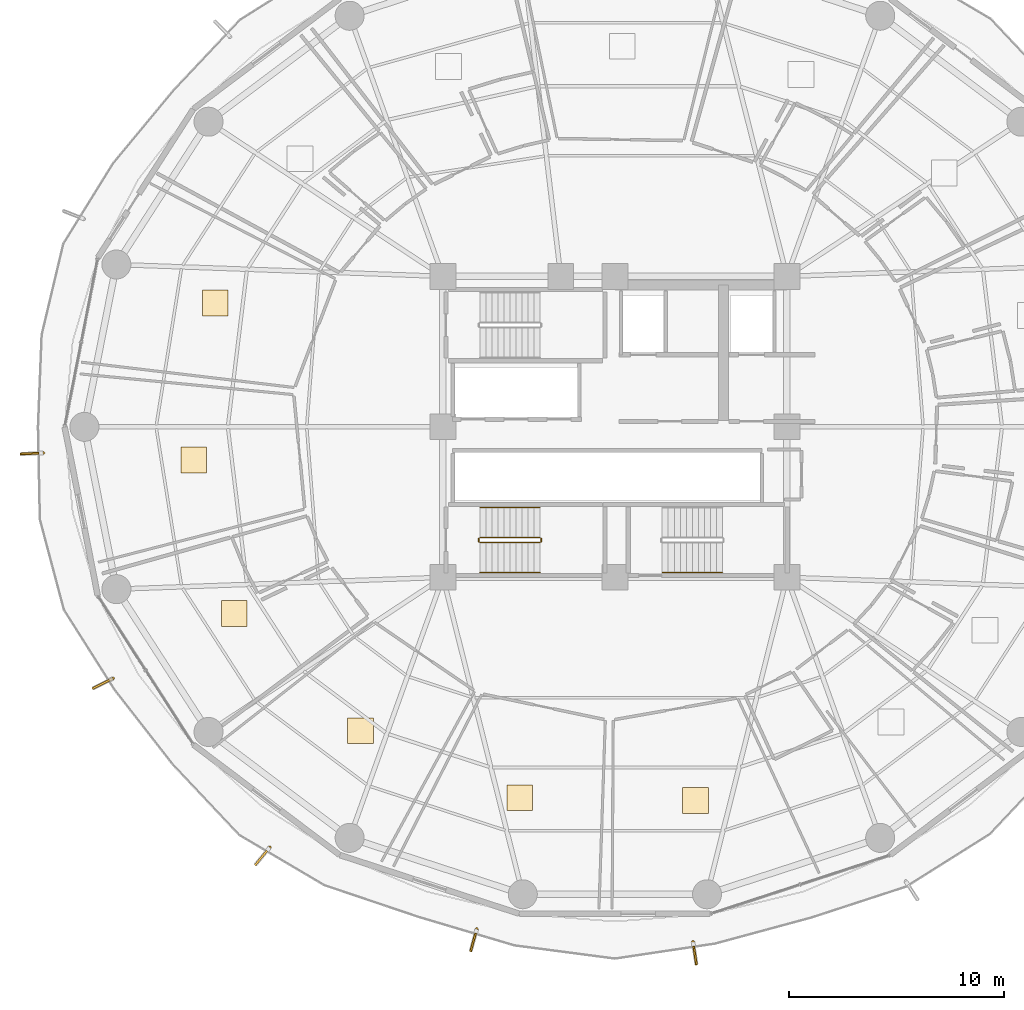
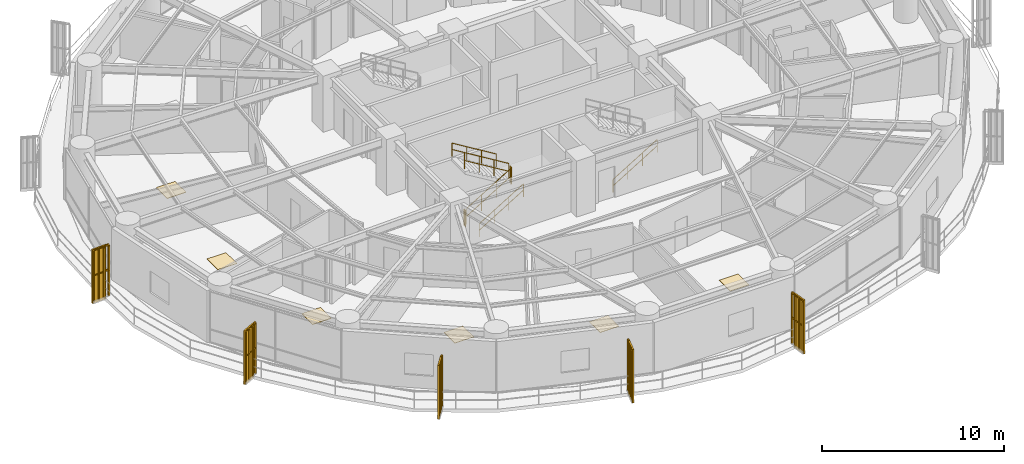
# One storey, part 35 of 38: 12 railings, 6 coverings, 5 shading devices.
"""IFC4 building model written with IfcOpenShell, lengths in metres."""

from ifc_helpers import new_model, si_unit, direction, frame, origin, origin_2d, place, context, subcontext, project, spatial, polyline, rectangle, outline, extrude, source, transform, mapped, material, layer, layer_set, type_object, element, save


model = new_model("IFC4")

# Units and contexts
model_context = context("Model", 3, precision=1e-05, world=origin(), true_north=direction((0.0, 1.0)))
body_context = subcontext(model_context, "Body", "Model", "MODEL_VIEW")
ifc_project = project(units=[si_unit("LENGTHUNIT", "METRE"), si_unit("AREAUNIT", "SQUARE_METRE"), si_unit("VOLUMEUNIT", "CUBIC_METRE"), si_unit("PLANEANGLEUNIT", "RADIAN"), si_unit("MASSUNIT", "GRAM", prefix="KILO")], contexts=[model_context])

# Site, building, storey
site_placement = place(None, origin())
site = spatial("IfcSite", under=ifc_project, at=site_placement, CompositionType="ELEMENT")
building_placement = place(site_placement, origin())
building = spatial("IfcBuilding", under=site, at=building_placement, Name="Kelanora Arch Commons", CompositionType="ELEMENT")
storey_placement = place(building_placement, frame((0.0, 0.0, 106.35009765625)))
storey = spatial("IfcBuildingStorey", under=building, at=storey_placement, Name="L27", CompositionType="ELEMENT", Elevation=106.35009765625)

# Railings
ifc_material_1 = material(Name="Anodised bronze vertical shading fin rib assembly")
railing_type_1 = type_object("IfcRailingType", Name="RAIL-FIN-BRZ", PredefinedType="BALUSTRADE", material=ifc_material_1)
railing_1_placement = place(storey_placement, frame((47.405517578125, 56.783203125, -0.02001953125)))
element("IfcRailing", 1, at=railing_1_placement, inside=storey, type_object=railing_type_1, Name="Sweeping Bronze Vertical Fin Blade L27-06", PredefinedType="BALUSTRADE", context=body_context, shape_type="SweptSolid", body=[
    extrude(outline(polyline([(0.06982421875, 0.0), (0.034912109375, 0.060546875), (-0.034912109375, 0.060546875), (-0.06982421875, 0.0), (-0.034912109375, -0.060546875), (0.034912109375, -0.060546875), (0.06982421875, 0.0)])), frame((0.0, 0.0, 3.419921875), z_axis=(-0.99894421443, -0.045939704578, 0.0), x_axis=(0.045939704578, -0.99894421443, 0.0)), (0.0, 0.0, 1.0), 0.9990234375),
    extrude(outline(polyline([(0.06982421875, 0.0), (0.034912109375, 0.060546875), (-0.034912109375, 0.060546875), (-0.06982421875, 0.0), (-0.034912109375, -0.060546875), (0.034912109375, -0.060546875), (0.06982421875, 0.0)])), frame((0.0, 0.0, 1.7451171875), z_axis=(-0.99894421443, -0.045939704578, 0.0), x_axis=(0.045939704578, -0.99894421443, 0.0)), (0.0, 0.0, 1.0), 0.9990234375),
    extrude(outline(polyline([(0.080078125, 0.0), (0.0400390625, 0.0693359375), (-0.0400390625, 0.0693359375), (-0.080078125, 0.0), (-0.0400390625, -0.0693359375), (0.0400390625, -0.0693359375), (0.080078125, 0.0)])), origin(), (0.0, 0.0, 1.0), 3.35009765625),
    extrude(outline(polyline([(0.080078125, 0.0), (0.0400390625, 0.0693359375), (-0.0400390625, 0.0693359375), (-0.080078125, 0.0), (-0.0400390625, -0.0693359375), (0.0400390625, -0.0693359375), (0.080078125, 0.0)])), frame((-0.332763671875, -0.015380859375, 0.0)), (0.0, 0.0, 1.0), 3.35009765625),
    extrude(outline(polyline([(0.080078125, 0.0), (0.0400390625, 0.0693359375), (-0.0400390625, 0.0693359375), (-0.080078125, 0.0), (-0.0400390625, -0.0693359375), (0.0400390625, -0.0693359375), (0.080078125, 0.0)])), frame((-0.665283203125, -0.030517578125, 0.0)), (0.0, 0.0, 1.0), 3.35009765625),
    extrude(outline(polyline([(0.080078125, 0.0), (0.0400390625, 0.0693359375), (-0.0400390625, 0.0693359375), (-0.080078125, 0.0), (-0.0400390625, -0.0693359375), (0.0400390625, -0.0693359375), (0.080078125, 0.0)])), frame((-0.998046875, -0.0458984375, 0.0)), (0.0, 0.0, 1.0), 3.35009765625),
])
railing_2_placement = place(storey_placement, frame((50.6494140625, 46.296875, -0.02001953125)))
element("IfcRailing", 2, at=railing_2_placement, inside=storey, type_object=railing_type_1, Name="Sweeping Bronze Vertical Fin Blade L27-07", PredefinedType="BALUSTRADE", context=body_context, shape_type="SweptSolid", body=[
    extrude(outline(polyline([(0.06982421875, 0.0), (0.034912109375, 0.060546875), (-0.034912109375, 0.060546875), (-0.06982421875, 0.0), (-0.034912109375, -0.060546875), (0.034912109375, -0.060546875), (0.06982421875, 0.0)])), frame((0.0, 0.0, 3.419921875), z_axis=(-0.893937899103, -0.448190843891, 0.0), x_axis=(0.448190843891, -0.893937899103, 0.0)), (0.0, 0.0, 1.0), 0.9990234375),
    extrude(outline(polyline([(0.06982421875, 0.0), (0.034912109375, 0.060546875), (-0.034912109375, 0.060546875), (-0.06982421875, 0.0), (-0.034912109375, -0.060546875), (0.034912109375, -0.060546875), (0.06982421875, 0.0)])), frame((0.0, 0.0, 1.7451171875), z_axis=(-0.893937899103, -0.448190843891, 0.0), x_axis=(0.448190843891, -0.893937899103, 0.0)), (0.0, 0.0, 1.0), 0.9990234375),
    extrude(outline(polyline([(0.080078125, 0.0), (0.0400390625, 0.0693359375), (-0.0400390625, 0.0693359375), (-0.080078125, 0.0), (-0.0400390625, -0.0693359375), (0.0400390625, -0.0693359375), (0.080078125, 0.0)])), origin(), (0.0, 0.0, 1.0), 3.35009765625),
    extrude(outline(polyline([(0.080078125, 0.0), (0.0400390625, 0.0693359375), (-0.0400390625, 0.0693359375), (-0.080078125, 0.0), (-0.0400390625, -0.0693359375), (0.0400390625, -0.0693359375), (0.080078125, 0.0)])), frame((-0.297607421875, -0.149169921875, 0.0)), (0.0, 0.0, 1.0), 3.35009765625),
    extrude(outline(polyline([(0.080078125, 0.0), (0.0400390625, 0.0693359375), (-0.0400390625, 0.0693359375), (-0.080078125, 0.0), (-0.0400390625, -0.0693359375), (0.0400390625, -0.0693359375), (0.080078125, 0.0)])), frame((-0.595458984375, -0.298583984375, 0.0)), (0.0, 0.0, 1.0), 3.35009765625),
    extrude(outline(polyline([(0.080078125, 0.0), (0.0400390625, 0.0693359375), (-0.0400390625, 0.0693359375), (-0.080078125, 0.0), (-0.0400390625, -0.0693359375), (0.0400390625, -0.0693359375), (0.080078125, 0.0)])), frame((-0.89306640625, -0.44775390625, 0.0)), (0.0, 0.0, 1.0), 3.35009765625),
])
railing_3_placement = place(storey_placement, frame((57.94091796875, 38.435302734375, -0.02001953125)))
element("IfcRailing", 3, at=railing_3_placement, inside=storey, type_object=railing_type_1, Name="Sweeping Bronze Vertical Fin Blade L27-08", PredefinedType="BALUSTRADE", context=body_context, shape_type="SweptSolid", body=[
    extrude(outline(polyline([(0.06982421875, 0.0), (0.034912109375, 0.060546875), (-0.034912109375, 0.060546875), (-0.06982421875, 0.0), (-0.034912109375, -0.060546875), (0.034912109375, -0.060546875), (0.06982421875, 0.0)])), frame((0.0, 0.0, 3.419921875), z_axis=(-0.634567453325, -0.772867483584, 0.0), x_axis=(0.772867483584, -0.634567453325, 0.0)), (0.0, 0.0, 1.0), 0.999267578125),
    extrude(outline(polyline([(0.06982421875, 0.0), (0.034912109375, 0.060546875), (-0.034912109375, 0.060546875), (-0.06982421875, 0.0), (-0.034912109375, -0.060546875), (0.034912109375, -0.060546875), (0.06982421875, 0.0)])), frame((0.0, 0.0, 1.7451171875), z_axis=(-0.634567453325, -0.772867483584, 0.0), x_axis=(0.772867483584, -0.634567453325, 0.0)), (0.0, 0.0, 1.0), 0.999267578125),
    extrude(outline(polyline([(0.080078125, 0.0), (0.0400390625, 0.0693359375), (-0.0400390625, 0.0693359375), (-0.080078125, 0.0), (-0.0400390625, -0.0693359375), (0.0400390625, -0.0693359375), (0.080078125, 0.0)])), origin(), (0.0, 0.0, 1.0), 3.35009765625),
    extrude(outline(polyline([(0.080078125, 0.0), (0.0400390625, 0.0693359375), (-0.0400390625, 0.0693359375), (-0.080078125, 0.0), (-0.0400390625, -0.0693359375), (0.0400390625, -0.0693359375), (0.080078125, 0.0)])), frame((-0.21142578125, -0.25732421875, 0.0)), (0.0, 0.0, 1.0), 3.35009765625),
    extrude(outline(polyline([(0.080078125, 0.0), (0.0400390625, 0.0693359375), (-0.0400390625, 0.0693359375), (-0.080078125, 0.0), (-0.0400390625, -0.0693359375), (0.0400390625, -0.0693359375), (0.080078125, 0.0)])), frame((-0.422607421875, -0.514892578125, 0.0)), (0.0, 0.0, 1.0), 3.35009765625),
    extrude(outline(polyline([(0.080078125, 0.0), (0.0400390625, 0.0693359375), (-0.0400390625, 0.0693359375), (-0.080078125, 0.0), (-0.0400390625, -0.0693359375), (0.0400390625, -0.0693359375), (0.080078125, 0.0)])), frame((-0.634033203125, -0.772216796875, 0.0)), (0.0, 0.0, 1.0), 3.35009765625),
])
railing_4_placement = place(storey_placement, frame((67.572265625, 34.63232421875, -0.02001953125)))
element("IfcRailing", 4, at=railing_4_placement, inside=storey, type_object=railing_type_1, Name="Sweeping Bronze Vertical Fin Blade L27-09", PredefinedType="BALUSTRADE", context=body_context, shape_type="SweptSolid", body=[
    extrude(outline(polyline([(0.06982421875, 0.0), (0.034912109375, 0.060546875), (-0.034912109375, 0.060546875), (-0.06982421875, 0.0), (-0.034912109375, -0.060546875), (0.034912109375, -0.060546875), (0.06982421875, 0.0)])), frame((0.0, 0.0, 3.419921875), z_axis=(-0.265122406976, -0.964214763068, 0.0), x_axis=(0.964214763068, -0.265122406976, 0.0)), (0.0, 0.0, 1.0), 0.9990234375),
    extrude(outline(polyline([(0.06982421875, 0.0), (0.034912109375, 0.060546875), (-0.034912109375, 0.060546875), (-0.06982421875, 0.0), (-0.034912109375, -0.060546875), (0.034912109375, -0.060546875), (0.06982421875, 0.0)])), frame((0.0, 0.0, 1.7451171875), z_axis=(-0.265122406976, -0.964214763068, 0.0), x_axis=(0.964214763068, -0.265122406976, 0.0)), (0.0, 0.0, 1.0), 0.9990234375),
    extrude(outline(polyline([(0.080078125, 0.0), (0.0400390625, 0.0693359375), (-0.0400390625, 0.0693359375), (-0.080078125, 0.0), (-0.0400390625, -0.0693359375), (0.0400390625, -0.0693359375), (0.080078125, 0.0)])), origin(), (0.0, 0.0, 1.0), 3.35009765625),
    extrude(outline(polyline([(0.080078125, 0.0), (0.0400390625, 0.0693359375), (-0.0400390625, 0.0693359375), (-0.080078125, 0.0), (-0.0400390625, -0.0693359375), (0.0400390625, -0.0693359375), (0.080078125, 0.0)])), frame((-0.08837890625, -0.321044921875, 0.0)), (0.0, 0.0, 1.0), 3.35009765625),
    extrude(outline(polyline([(0.080078125, 0.0), (0.0400390625, 0.0693359375), (-0.0400390625, 0.0693359375), (-0.080078125, 0.0), (-0.0400390625, -0.0693359375), (0.0400390625, -0.0693359375), (0.080078125, 0.0)])), frame((-0.176513671875, -0.642333984375, 0.0)), (0.0, 0.0, 1.0), 3.35009765625),
    extrude(outline(polyline([(0.080078125, 0.0), (0.0400390625, 0.0693359375), (-0.0400390625, 0.0693359375), (-0.080078125, 0.0), (-0.0400390625, -0.0693359375), (0.0400390625, -0.0693359375), (0.080078125, 0.0)])), frame((-0.264892578125, -0.96337890625, 0.0)), (0.0, 0.0, 1.0), 3.35009765625),
])
railing_5_placement = place(storey_placement, frame((77.6328125, 34.034912109375, -0.02001953125)))
element("IfcRailing", 5, at=railing_5_placement, inside=storey, type_object=railing_type_1, Name="Sweeping Bronze Vertical Fin Blade L27-10", PredefinedType="BALUSTRADE", context=body_context, shape_type="SweptSolid", body=[
    extrude(outline(polyline([(0.06982421875, 0.0), (0.034912109375, 0.060546875), (-0.034912109375, 0.060546875), (-0.06982421875, 0.0), (-0.034912109375, -0.060546875), (0.034912109375, -0.060546875), (0.06982421875, 0.0)])), frame((0.0, 0.0, 3.419921875), z_axis=(0.150037012761, -0.988680380508, 0.0), x_axis=(0.988680380508, 0.150037012761, 0.0)), (0.0, 0.0, 1.0), 0.9990234375),
    extrude(outline(polyline([(0.06982421875, 0.0), (0.034912109375, 0.060546875), (-0.034912109375, 0.060546875), (-0.06982421875, 0.0), (-0.034912109375, -0.060546875), (0.034912109375, -0.060546875), (0.06982421875, 0.0)])), frame((0.0, 0.0, 1.7451171875), z_axis=(0.150037012761, -0.988680380508, 0.0), x_axis=(0.988680380508, 0.150037012761, 0.0)), (0.0, 0.0, 1.0), 0.9990234375),
    extrude(outline(polyline([(0.080078125, 0.0), (0.0400390625, 0.0693359375), (-0.0400390625, 0.0693359375), (-0.080078125, 0.0), (-0.0400390625, -0.0693359375), (0.0400390625, -0.0693359375), (0.080078125, 0.0)])), origin(), (0.0, 0.0, 1.0), 3.35009765625),
    extrude(outline(polyline([(0.080078125, 0.0), (0.0400390625, 0.0693359375), (-0.0400390625, 0.0693359375), (-0.080078125, 0.0), (-0.0400390625, -0.0693359375), (0.0400390625, -0.0693359375), (0.080078125, 0.0)])), frame((0.050048828125, -0.329345703125, 0.0)), (0.0, 0.0, 1.0), 3.35009765625),
    extrude(outline(polyline([(0.080078125, 0.0), (0.0400390625, 0.0693359375), (-0.0400390625, 0.0693359375), (-0.080078125, 0.0), (-0.0400390625, -0.0693359375), (0.0400390625, -0.0693359375), (0.080078125, 0.0)])), frame((0.099853515625, -0.658447265625, 0.0)), (0.0, 0.0, 1.0), 3.35009765625),
    extrude(outline(polyline([(0.080078125, 0.0), (0.0400390625, 0.0693359375), (-0.0400390625, 0.0693359375), (-0.080078125, 0.0), (-0.0400390625, -0.0693359375), (0.0400390625, -0.0693359375), (0.080078125, 0.0)])), frame((0.14990234375, -0.98779296875, 0.0)), (0.0, 0.0, 1.0), 3.35009765625),
])
ifc_material_2 = material(Name="Painted steel stair well guard", Category="steel")
railing_type_2 = type_object("IfcRailingType", Name="RAIL-STAIR-GRD", PredefinedType="GUARDRAIL", material=ifc_material_2)
railing_6_placement = place(storey_placement, frame((67.719970703125, 52.610107421875, 0.17041015625)))
element("IfcRailing", 6, at=railing_6_placement, inside=storey, type_object=railing_type_2, Name="L27 ST-T3 stair guard 1", PredefinedType="GUARDRAIL", context=body_context, shape_type="SweptSolid", body=[
    extrude(outline(polyline([(0.02392578125, 0.0), (0.011962890625, 0.020751953125), (-0.011962890625, 0.020751953125), (-0.02392578125, 0.0), (-0.011962890625, -0.020751953125), (0.011962890625, -0.020751953125), (0.02392578125, 0.0)])), frame((0.0, 0.0, 1.076171875), z_axis=(0.854169791009, 0.0, 0.51999420009), x_axis=(0.0, 1.0, 0.0)), (0.0, 0.0, 1.0), 3.278076171875),
    extrude(outline(polyline([(0.02392578125, 0.0), (0.011962890625, 0.020751953125), (-0.011962890625, 0.020751953125), (-0.02392578125, 0.0), (-0.011962890625, -0.020751953125), (0.011962890625, -0.020751953125), (0.02392578125, 0.0)])), frame((0.0, 0.0, 0.550048828125), z_axis=(0.854169791009, 0.0, 0.51999420009), x_axis=(0.0, 1.0, 0.0)), (0.0, 0.0, 1.0), 3.278076171875),
    extrude(outline(polyline([(0.02099609375, 0.0), (0.010498046875, 0.01806640625), (-0.010498046875, 0.01806640625), (-0.02099609375, 0.0), (-0.010498046875, -0.01806640625), (0.010498046875, -0.01806640625), (0.02099609375, 0.0)])), origin(), (0.0, 0.0, 1.0), 1.052001953125),
    extrude(outline(polyline([(0.02099609375, 0.0), (0.010498046875, 0.01806640625), (-0.010498046875, 0.01806640625), (-0.02099609375, 0.0), (-0.010498046875, -0.01806640625), (0.010498046875, -0.01806640625), (0.02099609375, 0.0)])), frame((0.933349609375, 0.0, 0.568115234375)), (0.0, 0.0, 1.0), 1.052001953125),
    extrude(outline(polyline([(0.02099609375, 0.0), (0.010498046875, 0.01806640625), (-0.010498046875, 0.01806640625), (-0.02099609375, 0.0), (-0.010498046875, -0.01806640625), (0.010498046875, -0.01806640625), (0.02099609375, 0.0)])), frame((1.86669921875, 0.0, 1.136474609375)), (0.0, 0.0, 1.0), 1.052001953125),
    extrude(outline(polyline([(0.02099609375, 0.0), (0.010498046875, 0.01806640625), (-0.010498046875, 0.01806640625), (-0.02099609375, 0.0), (-0.010498046875, -0.01806640625), (0.010498046875, -0.01806640625), (0.02099609375, 0.0)])), frame((2.800048828125, 0.0, 1.70458984375)), (0.0, 0.0, 1.0), 1.052001953125),
])
railing_7_placement = place(storey_placement, frame((70.570068359375, 52.659912109375, 1.875)))
element("IfcRailing", 7, at=railing_7_placement, inside=storey, type_object=railing_type_2, Name="L27 ST-T3 stair guard 2", PredefinedType="GUARDRAIL", context=body_context, shape_type="SweptSolid", body=[
    extrude(outline(polyline([(0.02392578125, 0.0), (0.011962890625, 0.020751953125), (-0.011962890625, 0.020751953125), (-0.02392578125, 0.0), (-0.011962890625, -0.020751953125), (0.011962890625, -0.020751953125), (0.02392578125, 0.0)])), frame((0.0, 0.0, 1.076171875), z_axis=(0.0, 1.0, 0.0), x_axis=(-1.0, 0.0, 0.0)), (0.0, 0.0, 1.0), 0.150146484375),
    extrude(outline(polyline([(0.02392578125, 0.0), (0.011962890625, 0.020751953125), (-0.011962890625, 0.020751953125), (-0.02392578125, 0.0), (-0.011962890625, -0.020751953125), (0.011962890625, -0.020751953125), (0.02392578125, 0.0)])), frame((0.0, 0.0, 0.550048828125), z_axis=(0.0, 1.0, 0.0), x_axis=(-1.0, 0.0, 0.0)), (0.0, 0.0, 1.0), 0.150146484375),
    extrude(outline(polyline([(0.02099609375, 0.0), (0.010498046875, 0.01806640625), (-0.010498046875, 0.01806640625), (-0.02099609375, 0.0), (-0.010498046875, -0.01806640625), (0.010498046875, -0.01806640625), (0.02099609375, 0.0)])), origin(), (0.0, 0.0, 1.0), 1.052001953125),
    extrude(outline(polyline([(0.02099609375, 0.0), (0.010498046875, 0.01806640625), (-0.010498046875, 0.01806640625), (-0.02099609375, 0.0), (-0.010498046875, -0.01806640625), (0.010498046875, -0.01806640625), (0.02099609375, 0.0)])), frame((0.0, 0.150146484375, 0.0)), (0.0, 0.0, 1.0), 1.052001953125),
])
railing_8_placement = place(storey_placement, frame((70.52001953125, 52.860107421875, 2.04541015625)))
element("IfcRailing", 8, at=railing_8_placement, inside=storey, type_object=railing_type_2, Name="L27 ST-T3 stair guard 3", PredefinedType="GUARDRAIL", context=body_context, shape_type="SweptSolid", body=[
    extrude(outline(polyline([(0.02392578125, 0.0), (0.011962890625, 0.020751953125), (-0.011962890625, 0.020751953125), (-0.02392578125, 0.0), (-0.011962890625, -0.020751953125), (0.011962890625, -0.020751953125), (0.02392578125, 0.0)])), frame((0.0, 0.0, 1.076171875), z_axis=(-0.854169791009, 0.0, 0.51999420009), x_axis=(0.0, -1.0, 0.0)), (0.0, 0.0, 1.0), 3.278076171875),
    extrude(outline(polyline([(0.02392578125, 0.0), (0.011962890625, 0.020751953125), (-0.011962890625, 0.020751953125), (-0.02392578125, 0.0), (-0.011962890625, -0.020751953125), (0.011962890625, -0.020751953125), (0.02392578125, 0.0)])), frame((0.0, 0.0, 0.550048828125), z_axis=(-0.854169791009, 0.0, 0.51999420009), x_axis=(0.0, -1.0, 0.0)), (0.0, 0.0, 1.0), 3.278076171875),
    extrude(outline(polyline([(0.02099609375, 0.0), (0.010498046875, 0.01806640625), (-0.010498046875, 0.01806640625), (-0.02099609375, 0.0), (-0.010498046875, -0.01806640625), (0.010498046875, -0.01806640625), (0.02099609375, 0.0)])), origin(), (0.0, 0.0, 1.0), 1.052001953125),
    extrude(outline(polyline([(0.02099609375, 0.0), (0.010498046875, 0.01806640625), (-0.010498046875, 0.01806640625), (-0.02099609375, 0.0), (-0.010498046875, -0.01806640625), (0.010498046875, -0.01806640625), (0.02099609375, 0.0)])), frame((-0.933349609375, 0.0, 0.568115234375)), (0.0, 0.0, 1.0), 1.052001953125),
    extrude(outline(polyline([(0.02099609375, 0.0), (0.010498046875, 0.01806640625), (-0.010498046875, 0.01806640625), (-0.02099609375, 0.0), (-0.010498046875, -0.01806640625), (0.010498046875, -0.01806640625), (0.02099609375, 0.0)])), frame((-1.86669921875, 0.0, 1.136474609375)), (0.0, 0.0, 1.0), 1.052001953125),
    extrude(outline(polyline([(0.02099609375, 0.0), (0.010498046875, 0.01806640625), (-0.010498046875, 0.01806640625), (-0.02099609375, 0.0), (-0.010498046875, -0.01806640625), (0.010498046875, -0.01806640625), (0.02099609375, 0.0)])), frame((-2.800048828125, 0.0, 1.70458984375)), (0.0, 0.0, 1.0), 1.052001953125),
])
railing_9_placement = place(storey_placement, frame((67.669921875, 52.659912109375, 0.0)))
element("IfcRailing", 9, at=railing_9_placement, inside=storey, type_object=railing_type_2, Name="L27 ST-T3 stair guard 4", PredefinedType="GUARDRAIL", context=body_context, shape_type="SweptSolid", body=[
    extrude(outline(polyline([(0.02392578125, 0.0), (0.011962890625, 0.020751953125), (-0.011962890625, 0.020751953125), (-0.02392578125, 0.0), (-0.011962890625, -0.020751953125), (0.011962890625, -0.020751953125), (0.02392578125, 0.0)])), frame((0.0, 0.0, 1.076171875), z_axis=(0.0, 1.0, 0.0), x_axis=(-1.0, 0.0, 0.0)), (0.0, 0.0, 1.0), 0.150146484375),
    extrude(outline(polyline([(0.02392578125, 0.0), (0.011962890625, 0.020751953125), (-0.011962890625, 0.020751953125), (-0.02392578125, 0.0), (-0.011962890625, -0.020751953125), (0.011962890625, -0.020751953125), (0.02392578125, 0.0)])), frame((0.0, 0.0, 0.550048828125), z_axis=(0.0, 1.0, 0.0), x_axis=(-1.0, 0.0, 0.0)), (0.0, 0.0, 1.0), 0.150146484375),
    extrude(outline(polyline([(0.02099609375, 0.0), (0.010498046875, 0.01806640625), (-0.010498046875, 0.01806640625), (-0.02099609375, 0.0), (-0.010498046875, -0.01806640625), (0.010498046875, -0.01806640625), (0.02099609375, 0.0)])), origin(), (0.0, 0.0, 1.0), 1.052001953125),
    extrude(outline(polyline([(0.02099609375, 0.0), (0.010498046875, 0.01806640625), (-0.010498046875, 0.01806640625), (-0.02099609375, 0.0), (-0.010498046875, -0.01806640625), (0.010498046875, -0.01806640625), (0.02099609375, 0.0)])), frame((0.0, 0.150146484375, 0.0)), (0.0, 0.0, 1.0), 1.052001953125),
])
ifc_material_3 = material(Name="Brushed stainless steel stair handrail", Category="steel")
railing_type_3 = type_object("IfcRailingType", Name="RAIL-STAIR-HND", PredefinedType="HANDRAIL", material=ifc_material_3)
railing_10_placement = place(storey_placement, frame((76.199951171875, 51.22998046875, 0.17041015625)))
element("IfcRailing", 10, at=railing_10_placement, inside=storey, type_object=railing_type_3, Name="L27 ST-T2 stair handrail 1", PredefinedType="HANDRAIL", context=body_context, shape_type="SweptSolid", body=[
    extrude(outline(polyline([(0.02392578125, 0.0), (0.011962890625, 0.020751953125), (-0.011962890625, 0.020751953125), (-0.02392578125, 0.0), (-0.011962890625, -0.020751953125), (0.011962890625, -0.020751953125), (0.02392578125, 0.0)])), frame((0.0, 0.0, 0.8759765625), z_axis=(0.854169791009, 0.0, 0.51999420009), x_axis=(0.0, 1.0, 0.0)), (0.0, 0.0, 1.0), 3.278076171875),
    extrude(outline(polyline([(0.02392578125, 0.0), (0.011962890625, 0.020751953125), (-0.011962890625, 0.020751953125), (-0.02392578125, 0.0), (-0.011962890625, -0.020751953125), (0.011962890625, -0.020751953125), (0.02392578125, 0.0)])), frame((0.0, 0.0, 0.449951171875), z_axis=(0.854169791009, 0.0, 0.51999420009), x_axis=(0.0, 1.0, 0.0)), (0.0, 0.0, 1.0), 3.278076171875),
    extrude(outline(polyline([(0.02099609375, 0.0), (0.010498046875, 0.01806640625), (-0.010498046875, 0.01806640625), (-0.02099609375, 0.0), (-0.010498046875, -0.01806640625), (0.010498046875, -0.01806640625), (0.02099609375, 0.0)])), origin(), (0.0, 0.0, 1.0), 0.851806640625),
    extrude(outline(polyline([(0.02099609375, 0.0), (0.010498046875, 0.01806640625), (-0.010498046875, 0.01806640625), (-0.02099609375, 0.0), (-0.010498046875, -0.01806640625), (0.010498046875, -0.01806640625), (0.02099609375, 0.0)])), frame((0.933349609375, 0.0, 0.568115234375)), (0.0, 0.0, 1.0), 0.851806640625),
    extrude(outline(polyline([(0.02099609375, 0.0), (0.010498046875, 0.01806640625), (-0.010498046875, 0.01806640625), (-0.02099609375, 0.0), (-0.010498046875, -0.01806640625), (0.010498046875, -0.01806640625), (0.02099609375, 0.0)])), frame((1.86669921875, 0.0, 1.136474609375)), (0.0, 0.0, 1.0), 0.851806640625),
    extrude(outline(polyline([(0.02099609375, 0.0), (0.010498046875, 0.01806640625), (-0.010498046875, 0.01806640625), (-0.02099609375, 0.0), (-0.010498046875, -0.01806640625), (0.010498046875, -0.01806640625), (0.02099609375, 0.0)])), frame((2.800048828125, 0.0, 1.70458984375)), (0.0, 0.0, 1.0), 0.851806640625),
])
railing_11_placement = place(storey_placement, frame((67.719970703125, 51.22998046875, 0.17041015625)))
element("IfcRailing", 11, at=railing_11_placement, inside=storey, type_object=railing_type_3, Name="L27 ST-T3 stair handrail 1", PredefinedType="HANDRAIL", context=body_context, shape_type="SweptSolid", body=[
    extrude(outline(polyline([(0.02392578125, 0.0), (0.011962890625, 0.020751953125), (-0.011962890625, 0.020751953125), (-0.02392578125, 0.0), (-0.011962890625, -0.020751953125), (0.011962890625, -0.020751953125), (0.02392578125, 0.0)])), frame((0.0, 0.0, 0.8759765625), z_axis=(0.854169791009, 0.0, 0.51999420009), x_axis=(0.0, 1.0, 0.0)), (0.0, 0.0, 1.0), 3.278076171875),
    extrude(outline(polyline([(0.02392578125, 0.0), (0.011962890625, 0.020751953125), (-0.011962890625, 0.020751953125), (-0.02392578125, 0.0), (-0.011962890625, -0.020751953125), (0.011962890625, -0.020751953125), (0.02392578125, 0.0)])), frame((0.0, 0.0, 0.449951171875), z_axis=(0.854169791009, 0.0, 0.51999420009), x_axis=(0.0, 1.0, 0.0)), (0.0, 0.0, 1.0), 3.278076171875),
    extrude(outline(polyline([(0.02099609375, 0.0), (0.010498046875, 0.01806640625), (-0.010498046875, 0.01806640625), (-0.02099609375, 0.0), (-0.010498046875, -0.01806640625), (0.010498046875, -0.01806640625), (0.02099609375, 0.0)])), origin(), (0.0, 0.0, 1.0), 0.851806640625),
    extrude(outline(polyline([(0.02099609375, 0.0), (0.010498046875, 0.01806640625), (-0.010498046875, 0.01806640625), (-0.02099609375, 0.0), (-0.010498046875, -0.01806640625), (0.010498046875, -0.01806640625), (0.02099609375, 0.0)])), frame((0.933349609375, 0.0, 0.568115234375)), (0.0, 0.0, 1.0), 0.851806640625),
    extrude(outline(polyline([(0.02099609375, 0.0), (0.010498046875, 0.01806640625), (-0.010498046875, 0.01806640625), (-0.02099609375, 0.0), (-0.010498046875, -0.01806640625), (0.010498046875, -0.01806640625), (0.02099609375, 0.0)])), frame((1.86669921875, 0.0, 1.136474609375)), (0.0, 0.0, 1.0), 0.851806640625),
    extrude(outline(polyline([(0.02099609375, 0.0), (0.010498046875, 0.01806640625), (-0.010498046875, 0.01806640625), (-0.02099609375, 0.0), (-0.010498046875, -0.01806640625), (0.010498046875, -0.01806640625), (0.02099609375, 0.0)])), frame((2.800048828125, 0.0, 1.70458984375)), (0.0, 0.0, 1.0), 0.851806640625),
])
railing_12_placement = place(storey_placement, frame((70.52001953125, 54.239990234375, 2.04541015625)))
element("IfcRailing", 12, at=railing_12_placement, inside=storey, type_object=railing_type_3, Name="L27 ST-T3 stair handrail 2", PredefinedType="HANDRAIL", context=body_context, shape_type="SweptSolid", body=[
    extrude(outline(polyline([(0.02392578125, 0.0), (0.011962890625, 0.020751953125), (-0.011962890625, 0.020751953125), (-0.02392578125, 0.0), (-0.011962890625, -0.020751953125), (0.011962890625, -0.020751953125), (0.02392578125, 0.0)])), frame((0.0, 0.0, 0.8759765625), z_axis=(-0.854169791009, 0.0, 0.51999420009), x_axis=(0.0, -1.0, 0.0)), (0.0, 0.0, 1.0), 3.278076171875),
    extrude(outline(polyline([(0.02392578125, 0.0), (0.011962890625, 0.020751953125), (-0.011962890625, 0.020751953125), (-0.02392578125, 0.0), (-0.011962890625, -0.020751953125), (0.011962890625, -0.020751953125), (0.02392578125, 0.0)])), frame((0.0, 0.0, 0.449951171875), z_axis=(-0.854169791009, 0.0, 0.51999420009), x_axis=(0.0, -1.0, 0.0)), (0.0, 0.0, 1.0), 3.278076171875),
    extrude(outline(polyline([(0.02099609375, 0.0), (0.010498046875, 0.01806640625), (-0.010498046875, 0.01806640625), (-0.02099609375, 0.0), (-0.010498046875, -0.01806640625), (0.010498046875, -0.01806640625), (0.02099609375, 0.0)])), origin(), (0.0, 0.0, 1.0), 0.851806640625),
    extrude(outline(polyline([(0.02099609375, 0.0), (0.010498046875, 0.01806640625), (-0.010498046875, 0.01806640625), (-0.02099609375, 0.0), (-0.010498046875, -0.01806640625), (0.010498046875, -0.01806640625), (0.02099609375, 0.0)])), frame((-0.933349609375, 0.0, 0.568115234375)), (0.0, 0.0, 1.0), 0.851806640625),
    extrude(outline(polyline([(0.02099609375, 0.0), (0.010498046875, 0.01806640625), (-0.010498046875, 0.01806640625), (-0.02099609375, 0.0), (-0.010498046875, -0.01806640625), (0.010498046875, -0.01806640625), (0.02099609375, 0.0)])), frame((-1.86669921875, 0.0, 1.136474609375)), (0.0, 0.0, 1.0), 0.851806640625),
    extrude(outline(polyline([(0.02099609375, 0.0), (0.010498046875, 0.01806640625), (-0.010498046875, 0.01806640625), (-0.02099609375, 0.0), (-0.010498046875, -0.01806640625), (0.010498046875, -0.01806640625), (0.02099609375, 0.0)])), frame((-2.800048828125, 0.0, 1.70458984375)), (0.0, 0.0, 1.0), 0.851806640625),
])

# Shading devices
ifc_material_4 = material(Name="Terracotta ceramic-clad extruded aluminium fin", Category="masonry")
shading_device_type = type_object("IfcShadingDeviceType", Name="SHD-FIN-FLARE", PredefinedType="USERDEFINED", material=ifc_material_4)
shared_shape_1 = source(origin(), body_context, "Body", "SweptSolid", [
    extrude(rectangle(XDim=0.8798828125, YDim=0.090087890625, at=origin_2d()), origin(), (0.0, 0.0, 1.0), 3.610107421875),
])
for number, where, z_axis, x_axis, name in (
    (13, (46.7666015625, 56.75390625, -0.14013671875), (0.0, 0.0, 1.0), (-0.99895467426, -0.04571169187, 0.0), "Sweeping Terracotta Fin L27-06"),
    (14, (50.07763671875, 46.01025390625, -0.14013671875), (0.0, 0.0, 1.0), (-0.893997884961, -0.448071179262, 0.0), "Sweeping Terracotta Fin L27-07"),
    (15, (57.53515625, 37.941162109375, -0.14013671875), (0.0, 0.0, 1.0), (-0.634460739636, -0.772955089162, 0.0), "Sweeping Terracotta Fin L27-08"),
    (16, (67.402587890625, 34.015625, -0.14013671875), (0.0, 0.0, 1.0), (-0.265219568533, -0.964188042068, 0.0), "Sweeping Terracotta Fin L27-09"),
    (17, (77.728759765625, 33.402587890625, -0.14013671875), (0.0, 0.0, 1.0), (0.149880475413, -0.988704123128, 0.0), "Sweeping Terracotta Fin L27-10"),
):
    element("IfcShadingDevice", number, at=place(storey_placement, frame(where, z_axis=z_axis, x_axis=x_axis)), inside=storey, type_object=shading_device_type, Name=name, ObjectType="FIN", PredefinedType="USERDEFINED", context=body_context, shape_type="MappedRepresentation", body=[
        mapped(shared_shape_1, transform((0.0, 0.0, 0.0), scale=1.0)),
    ])

# Coverings
ifc_material_5 = material(Name="Polished local granite terrazzo flooring", Category="masonry")
ifc_layer = layer(ifc_material_5, 0.030029296875)
ifc_layer_set = layer_set([ifc_layer], Name="Polished local granite terrazzo flooring")
covering_type = type_object("IfcCoveringType", Name="COV-FLR-TER", PredefinedType="FLOORING", material=ifc_layer_set)
shared_shape_2 = source(origin(), body_context, "Body", "SweptSolid", [
    extrude(rectangle(XDim=1.199951171875, YDim=1.199951171875, at=origin_2d()), origin(), (0.0, 0.0, 1.0), 0.030029296875),
])
for number, where, z_axis, x_axis, name in (
    (18, (55.4052734375, 63.76416015625, 0.0), (0.0, 0.0, 1.0), (1.0, 0.0, 0.0), "Social Sky Lounge L27-07 Terrazzo Finish"),
    (19, (54.408447265625, 56.457275390625, 0.0), (0.0, 0.0, 1.0), (1.0, 0.0, 0.0), "Quiet Seminar Study Room L27-08 Terrazzo Finish"),
    (20, (56.290771484375, 49.31494140625, 0.0), (0.0, 0.0, 1.0), (1.0, 0.0, 0.0), "Co-Living Studio L27-09 Terrazzo Finish"),
    (21, (62.16455078125, 43.8603515625, 0.0), (0.0, 0.0, 1.0), (1.0, 0.0, 0.0), "Communal Dining and Social Hall L27-10 Terrazzo Finish"),
    (22, (69.575927734375, 40.7490234375, 0.0), (0.0, 0.0, 1.0), (1.0, 0.0, 0.0), "Quiet Seminar Study Room L27-11 Terrazzo Finish"),
    (23, (77.75244140625, 40.6201171875, 0.0), (0.0, 0.0, 1.0), (1.0, 0.0, 0.0), "Quiet Seminar Study Room L27-12 Terrazzo Finish"),
):
    element("IfcCovering", number, at=place(storey_placement, frame(where, z_axis=z_axis, x_axis=x_axis)), inside=storey, type_object=covering_type, Name=name, PredefinedType="FLOORING", context=body_context, shape_type="MappedRepresentation", body=[
        mapped(shared_shape_2, transform((0.0, 0.0, 0.0), scale=1.0)),
    ])

save(model, "model.ifc")
